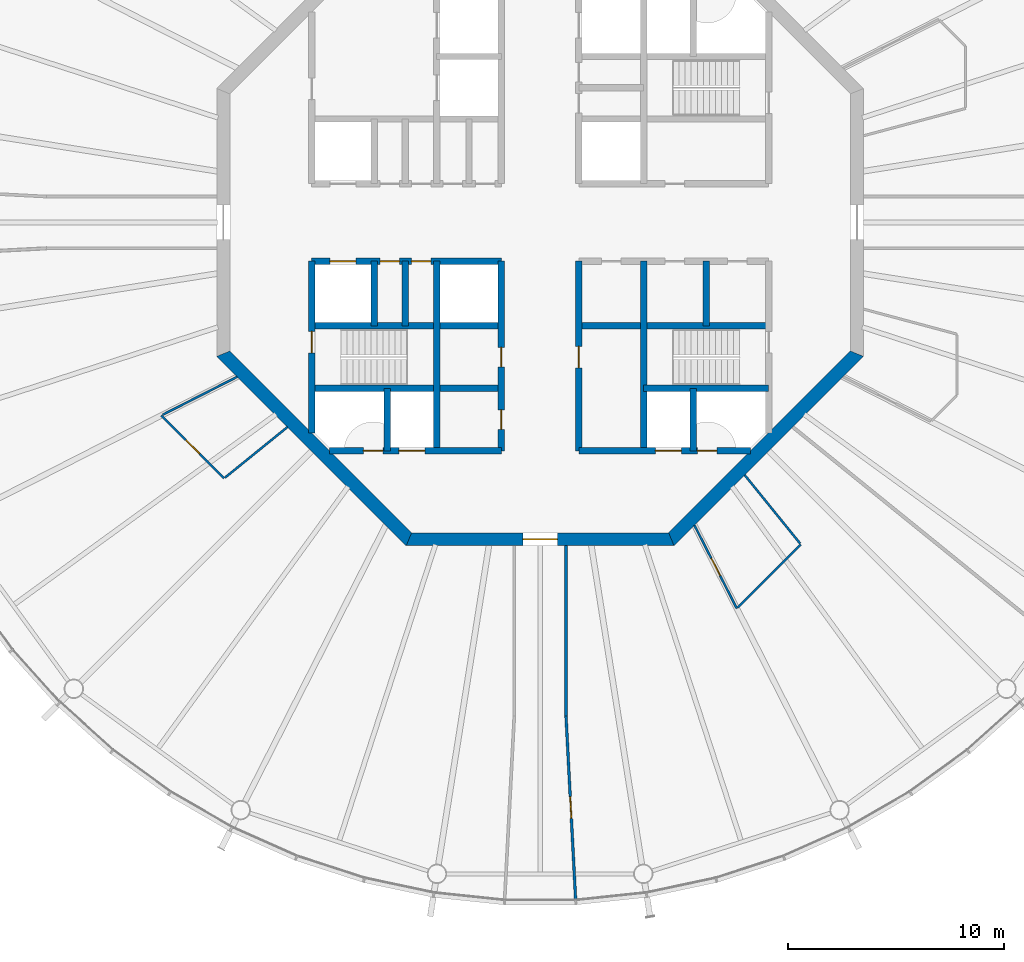
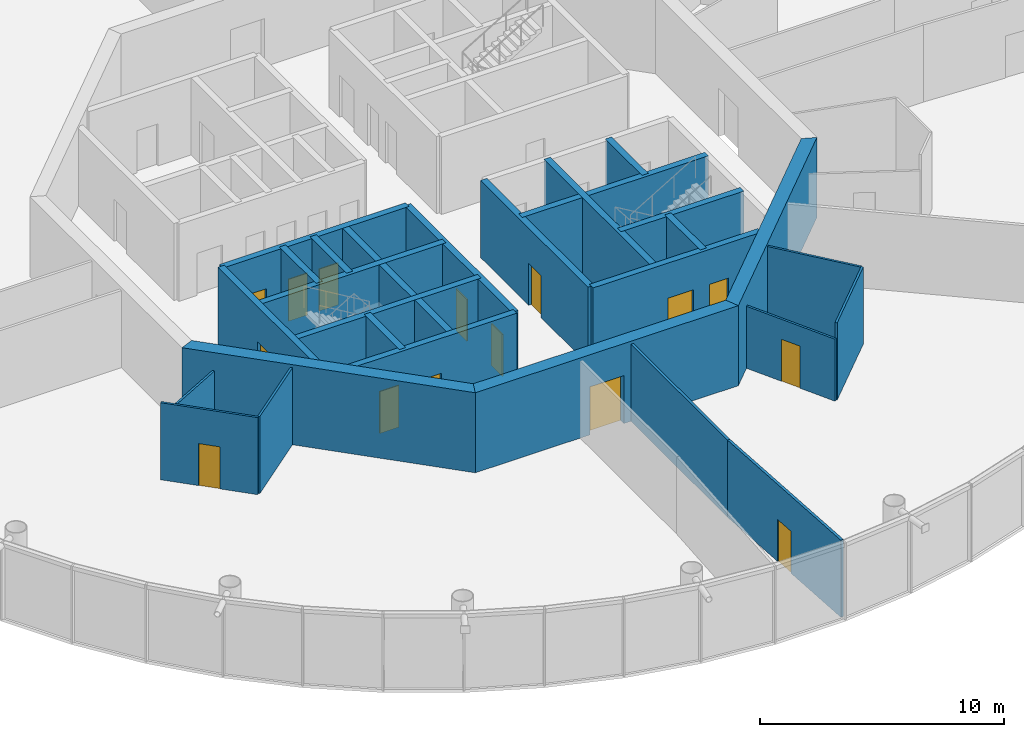
# One storey, part 3 of 18: 28 walls, 15 doors, 15 openings.
"""IFC4 building model written with IfcOpenShell, lengths in metres."""

from ifc_helpers import new_model, si_unit, direction, frame, frame_2d, origin, place, context, subcontext, project, spatial, polyline, rectangle, outline, extrude, material, layer, layer_set, type_object, element, fill, save


model = new_model("IFC4")

# Units and contexts
model_context = context("Model", 3, precision=1e-05, world=origin(), true_north=direction((0.0, 1.0)))
body_context = subcontext(model_context, "Body", "Model", "MODEL_VIEW")
ifc_project = project(units=[si_unit("LENGTHUNIT", "METRE"), si_unit("AREAUNIT", "SQUARE_METRE"), si_unit("VOLUMEUNIT", "CUBIC_METRE"), si_unit("PLANEANGLEUNIT", "RADIAN"), si_unit("MASSUNIT", "GRAM", prefix="KILO")], contexts=[model_context])

# Site, building, storey
site_placement = place(None, origin())
site = spatial("IfcSite", under=ifc_project, at=site_placement, CompositionType="ELEMENT")
building_placement = place(site_placement, origin())
building = spatial("IfcBuilding", under=site, at=building_placement, Name="Entoto Ring Tower", CompositionType="ELEMENT")
storey_placement = place(building_placement, frame((0.0, 0.0, 352.0)))
storey = spatial("IfcBuildingStorey", under=building, at=storey_placement, Name="L81", CompositionType="ELEMENT", Elevation=352.0)

# Walls
ifc_material_1 = material(Name="Concrete C40/50", Category="concrete")
ifc_layer_1 = layer(ifc_material_1, 0.300048828125)
ifc_layer_set_1 = layer_set([ifc_layer_1], Name="Concrete C40/50")
wall_type_1 = type_object("IfcWallType", Name="Core enclosure wall 300 mm reinforced concrete", PredefinedType="SOLIDWALL", material=ifc_layer_set_1)
wall_1_placement = place(storey_placement, frame((97.699951171875, 75.199951171875, 0.0), z_axis=(0.0, 0.0, 1.0), x_axis=(0.0, 1.0, 0.0)))
element("IfcWall", 1, at=wall_1_placement, inside=storey, type_object=wall_type_1, Name="wall-L81-003", PredefinedType="SOLIDWALL", context=body_context, shape_type="SweptSolid", body=[
    extrude(rectangle(XDim=3.0, YDim=0.300048828125, at=frame_2d((1.5, 0.0))), origin(), (0.0, 0.0, 1.0), 3.85009765625),
])
wall_2_placement = place(storey_placement, frame((97.10009765625, 69.39990234375, 0.0), z_axis=(0.0, 0.0, 1.0), x_axis=(0.0, 1.0, 0.0)))
element("IfcWall", 2, at=wall_2_placement, inside=storey, type_object=wall_type_1, Name="wall-L81-004", PredefinedType="SOLIDWALL", context=body_context, shape_type="SweptSolid", body=[
    extrude(rectangle(XDim=2.900146484375, YDim=0.300048828125, at=frame_2d((1.4501953125, 0.0))), origin(), (0.0, 0.0, 1.0), 3.85009765625),
])
wall_3_placement = place(storey_placement, frame((94.800048828125, 69.39990234375, 0.0), z_axis=(0.0, 0.0, 1.0), x_axis=(0.0, 1.0, 0.0)))
element("IfcWall", 3, at=wall_3_placement, inside=storey, type_object=wall_type_1, Name="wall-L81-006", PredefinedType="SOLIDWALL", context=body_context, shape_type="SweptSolid", body=[
    extrude(rectangle(XDim=8.800048828125, YDim=0.300048828125, at=frame_2d((4.39990234375, 0.0))), origin(), (0.0, 0.0, 1.0), 3.85009765625),
])

# Wall, opening, door
wall_4_placement = place(storey_placement, frame((91.800048828125, 69.39990234375, 0.0), z_axis=(0.0, 0.0, 1.0), x_axis=(0.0, 1.0, 0.0)))
wall_4 = element("IfcWall", 4, at=wall_4_placement, inside=storey, type_object=wall_type_1, Name="wall-L81-008", PredefinedType="SOLIDWALL", context=body_context, shape_type="SweptSolid", body=[
    extrude(rectangle(XDim=8.800048828125, YDim=0.300048828125, at=frame_2d((4.39990234375, 0.0))), origin(), (0.0, 0.0, 1.0), 3.85009765625),
])
opening_1_placement = place(wall_4_placement, frame((3.85009765625, 0.0, 0.0)))
opening_1 = element("IfcOpeningElement", 5, at=opening_1_placement, cuts=wall_4, Name="Opening K-64", PredefinedType="OPENING", context=body_context, shape_type="SweptSolid", body=[
    extrude(rectangle(XDim=1.0, YDim=2.10009765625, at=frame_2d((0.5, 1.050048828125))), frame((0.0, 0.16015625, 0.0), z_axis=(0.0, -1.0, 0.0), x_axis=(1.0, 0.0, 0.0)), (0.0, 0.0, 1.0), 0.320068359375),
])
ifc_material_2 = material(Name="Steel door leaf, fire rated", Category="steel")
ifc_layer_2 = layer(ifc_material_2, 0.050048828125)
ifc_layer_set_2 = layer_set([ifc_layer_2], Name="Steel door leaf, fire rated")
door_type_1 = type_object("IfcDoorType", Name="Accessible door 1000 x 2100 single leaf", OperationType="NOTDEFINED", PredefinedType="DOOR", material=ifc_layer_set_2)
door_1_placement = place(opening_1_placement, frame((1.0, 0.0, 0.0), z_axis=(0.0, 0.0, 1.0), x_axis=(-1.0, 0.0, 0.0)))
door_1 = element("IfcDoor", 6, at=door_1_placement, inside=storey, type_object=door_type_1, Name="Door K-64", OperationType="SINGLE_SWING_LEFT", OverallHeight=2.10009765625, OverallWidth=1.0, PredefinedType="DOOR", context=body_context, shape_type="SweptSolid", body=[
    extrude(rectangle(XDim=1.0, YDim=2.10009765625, at=frame_2d((0.5, 1.050048828125))), frame((0.0, 0.02490234375, 0.0), z_axis=(0.0, -1.0, 0.0), x_axis=(1.0, 0.0, 0.0)), (0.0, 0.0, 1.0), 0.050048828125),
])
fill(opening_1, door_1)

# Wall, openings, doors
wall_5_placement = place(storey_placement, frame((88.199951171875, 69.39990234375, 0.0), z_axis=(0.0, 0.0, 1.0), x_axis=(0.0, 1.0, 0.0)))
wall_5 = element("IfcWall", 7, at=wall_5_placement, inside=storey, type_object=wall_type_1, Name="wall-L81-010", PredefinedType="SOLIDWALL", context=body_context, shape_type="SweptSolid", body=[
    extrude(rectangle(XDim=8.800048828125, YDim=0.300048828125, at=frame_2d((4.39990234375, 0.0))), origin(), (0.0, 0.0, 1.0), 3.85009765625),
])
opening_2_placement = place(wall_5_placement, frame((3.89990234375, 0.0, 0.0)))
opening_2 = element("IfcOpeningElement", 8, at=opening_2_placement, cuts=wall_5, Name="Opening K-21", PredefinedType="OPENING", context=body_context, shape_type="SweptSolid", body=[
    extrude(rectangle(XDim=0.89990234375, YDim=2.10009765625, at=frame_2d((0.449951171875, 1.050048828125))), frame((0.0, 0.16015625, 0.0), z_axis=(0.0, -1.0, 0.0), x_axis=(1.0, 0.0, 0.0)), (0.0, 0.0, 1.0), 0.320068359375),
])
opening_3_placement = place(wall_5_placement, frame((1.0, 0.0, 0.0)))
opening_3 = element("IfcOpeningElement", 9, at=opening_3_placement, cuts=wall_5, Name="Opening K-69", PredefinedType="OPENING", context=body_context, shape_type="SweptSolid", body=[
    extrude(rectangle(XDim=0.89990234375, YDim=2.10009765625, at=frame_2d((0.449951171875, 1.050048828125))), frame((0.0, 0.16015625, 0.0), z_axis=(0.0, -1.0, 0.0), x_axis=(1.0, 0.0, 0.0)), (0.0, 0.0, 1.0), 0.320068359375),
])
ifc_material_3 = material(Name="Steel door leaf, fire rated", Category="steel")
ifc_layer_3 = layer(ifc_material_3, 0.050048828125)
ifc_layer_set_3 = layer_set([ifc_layer_3], Name="Steel door leaf, fire rated")
door_type_2 = type_object("IfcDoorType", Name="Core door 900 x 2100 single leaf", OperationType="NOTDEFINED", PredefinedType="DOOR", material=ifc_layer_set_3)
door_2_placement = place(opening_2_placement, origin())
door_2 = element("IfcDoor", 10, at=door_2_placement, inside=storey, type_object=door_type_2, Name="Door K-21", OperationType="SINGLE_SWING_RIGHT", OverallHeight=2.10009765625, OverallWidth=0.89990234375, PredefinedType="DOOR", context=body_context, shape_type="SweptSolid", body=[
    extrude(rectangle(XDim=0.89990234375, YDim=2.10009765625, at=frame_2d((0.449951171875, 1.050048828125))), frame((0.0, 0.02490234375, 0.0), z_axis=(0.0, -1.0, 0.0), x_axis=(1.0, 0.0, 0.0)), (0.0, 0.0, 1.0), 0.050048828125),
])
fill(opening_2, door_2)
door_3_placement = place(opening_3_placement, origin())
door_3 = element("IfcDoor", 11, at=door_3_placement, inside=storey, type_object=door_type_2, Name="Door K-69", OperationType="SINGLE_SWING_RIGHT", OverallHeight=2.10009765625, OverallWidth=0.89990234375, PredefinedType="DOOR", context=body_context, shape_type="SweptSolid", body=[
    extrude(rectangle(XDim=0.89990234375, YDim=2.10009765625, at=frame_2d((0.449951171875, 1.050048828125))), frame((0.0, 0.02490234375, 0.0), z_axis=(0.0, -1.0, 0.0), x_axis=(1.0, 0.0, 0.0)), (0.0, 0.0, 1.0), 0.050048828125),
])
fill(opening_3, door_3)

# Walls
wall_6_placement = place(storey_placement, frame((85.199951171875, 69.39990234375, 0.0), z_axis=(0.0, 0.0, 1.0), x_axis=(0.0, 1.0, 0.0)))
element("IfcWall", 12, at=wall_6_placement, inside=storey, type_object=wall_type_1, Name="wall-L81-013", PredefinedType="SOLIDWALL", context=body_context, shape_type="SweptSolid", body=[
    extrude(rectangle(XDim=8.800048828125, YDim=0.300048828125, at=frame_2d((4.39990234375, 0.0))), origin(), (0.0, 0.0, 1.0), 3.85009765625),
])
wall_7_placement = place(storey_placement, frame((83.75, 75.199951171875, 0.0), z_axis=(0.0, 0.0, 1.0), x_axis=(0.0, 1.0, 0.0)))
element("IfcWall", 13, at=wall_7_placement, inside=storey, type_object=wall_type_1, Name="wall-L81-015", PredefinedType="SOLIDWALL", context=body_context, shape_type="SweptSolid", body=[
    extrude(rectangle(XDim=3.0, YDim=0.300048828125, at=frame_2d((1.5, 0.0))), origin(), (0.0, 0.0, 1.0), 3.85009765625),
])
wall_8_placement = place(storey_placement, frame((82.89990234375, 69.39990234375, 0.0), z_axis=(0.0, 0.0, 1.0), x_axis=(0.0, 1.0, 0.0)))
element("IfcWall", 14, at=wall_8_placement, inside=storey, type_object=wall_type_1, Name="wall-L81-017", PredefinedType="SOLIDWALL", context=body_context, shape_type="SweptSolid", body=[
    extrude(rectangle(XDim=2.900146484375, YDim=0.300048828125, at=frame_2d((1.4501953125, 0.0))), origin(), (0.0, 0.0, 1.0), 3.85009765625),
])
wall_9_placement = place(storey_placement, frame((82.300048828125, 75.199951171875, 0.0), z_axis=(0.0, 0.0, 1.0), x_axis=(0.0, 1.0, 0.0)))
element("IfcWall", 15, at=wall_9_placement, inside=storey, type_object=wall_type_1, Name="wall-L81-018", PredefinedType="SOLIDWALL", context=body_context, shape_type="SweptSolid", body=[
    extrude(rectangle(XDim=3.0, YDim=0.300048828125, at=frame_2d((1.5, 0.0))), origin(), (0.0, 0.0, 1.0), 3.85009765625),
])

# Wall, opening, door
wall_10_placement = place(storey_placement, frame((79.39990234375, 70.2353515625, 0.0), z_axis=(0.0, 0.0, 1.0), x_axis=(0.0, 1.0, 0.0)))
wall_10 = element("IfcWall", 16, at=wall_10_placement, inside=storey, type_object=wall_type_1, Name="wall-L81-020", PredefinedType="SOLIDWALL", context=body_context, shape_type="SweptSolid", body=[
    extrude(rectangle(XDim=7.964599609375, YDim=0.300048828125, at=frame_2d((3.982421875, 0.0))), origin(), (0.0, 0.0, 1.0), 3.85009765625),
])
opening_4_placement = place(wall_10_placement, frame((3.714599609375, 0.0, 0.0)))
opening_4 = element("IfcOpeningElement", 17, at=opening_4_placement, cuts=wall_10, Name="Opening K-27", PredefinedType="OPENING", context=body_context, shape_type="SweptSolid", body=[
    extrude(rectangle(XDim=1.0, YDim=2.10009765625, at=frame_2d((0.5, 1.050048828125))), frame((0.0, 0.16015625, 0.0), z_axis=(0.0, -1.0, 0.0), x_axis=(1.0, 0.0, 0.0)), (0.0, 0.0, 1.0), 0.320068359375),
])
ifc_material_4 = material(Name="Steel door leaf, fire rated", Category="steel")
ifc_layer_4 = layer(ifc_material_4, 0.050048828125)
ifc_layer_set_4 = layer_set([ifc_layer_4], Name="Steel door leaf, fire rated")
door_type_3 = type_object("IfcDoorType", Name="Fire door FD60 1000 x 2100 single leaf", OperationType="NOTDEFINED", PredefinedType="DOOR", material=ifc_layer_set_4)
door_4_placement = place(opening_4_placement, frame((1.0, 0.0, 0.0), z_axis=(0.0, 0.0, 1.0), x_axis=(-1.0, 0.0, 0.0)))
door_4 = element("IfcDoor", 18, at=door_4_placement, inside=storey, type_object=door_type_3, Name="Door K-27", OperationType="SINGLE_SWING_LEFT", OverallHeight=2.10009765625, OverallWidth=1.0, PredefinedType="DOOR", context=body_context, shape_type="SweptSolid", body=[
    extrude(rectangle(XDim=1.0, YDim=2.10009765625, at=frame_2d((0.5, 1.050048828125))), frame((0.0, 0.02490234375, 0.0), z_axis=(0.0, -1.0, 0.0), x_axis=(1.0, 0.0, 0.0)), (0.0, 0.0, 1.0), 0.050048828125),
])
fill(opening_4, door_4)

# Wall, openings, doors
wall_11_placement = place(storey_placement, frame((80.2353515625, 69.39990234375, 0.0), z_axis=(0.0, 0.0, 1.0), x_axis=(1.0, 0.0, 0.0)))
wall_11 = element("IfcWall", 19, at=wall_11_placement, inside=storey, type_object=wall_type_1, Name="wall-L81-022", PredefinedType="SOLIDWALL", context=body_context, shape_type="SweptSolid", body=[
    extrude(rectangle(XDim=7.964599609375, YDim=0.300048828125, at=frame_2d((3.982421875, 0.0))), origin(), (0.0, 0.0, 1.0), 3.85009765625),
])
opening_5_placement = place(wall_11_placement, frame((3.214599609375, 0.0, 0.0)))
opening_5 = element("IfcOpeningElement", 20, at=opening_5_placement, cuts=wall_11, Name="Opening LD", PredefinedType="OPENING", context=body_context, shape_type="SweptSolid", body=[
    extrude(rectangle(XDim=1.199951171875, YDim=2.10009765625, at=frame_2d((0.60009765625, 1.050048828125))), frame((0.0, 0.16015625, 0.0), z_axis=(0.0, -1.0, 0.0), x_axis=(1.0, 0.0, 0.0)), (0.0, 0.0, 1.0), 0.320068359375),
])
opening_6_placement = place(wall_11_placement, frame((1.564697265625, 0.0, 0.0)))
opening_6 = element("IfcOpeningElement", 21, at=opening_6_placement, cuts=wall_11, Name="Opening K-84", PredefinedType="OPENING", context=body_context, shape_type="SweptSolid", body=[
    extrude(rectangle(XDim=0.89990234375, YDim=2.10009765625, at=frame_2d((0.449951171875, 1.050048828125))), frame((0.0, 0.16015625, 0.0), z_axis=(0.0, -1.0, 0.0), x_axis=(1.0, 0.0, 0.0)), (0.0, 0.0, 1.0), 0.320068359375),
])
ifc_material_5 = material(Name="Steel and glass door leaf", Category="steel")
ifc_layer_5 = layer(ifc_material_5, 0.050048828125)
ifc_layer_set_5 = layer_set([ifc_layer_5], Name="Steel and glass door leaf")
door_type_4 = type_object("IfcDoorType", Name="Landing door 1200 x 2100 sliding", OperationType="DOUBLE_DOOR_SLIDING", PredefinedType="DOOR", material=ifc_layer_set_5)
door_5_placement = place(opening_5_placement, origin())
door_5 = element("IfcDoor", 22, at=door_5_placement, inside=storey, type_object=door_type_4, Name="Landing door LB3-HR", OperationType="SLIDING_TO_RIGHT", OverallHeight=2.10009765625, OverallWidth=1.199951171875, PredefinedType="DOOR", context=body_context, shape_type="SweptSolid", body=[
    extrude(rectangle(XDim=1.199951171875, YDim=2.10009765625, at=frame_2d((0.60009765625, 1.050048828125))), frame((0.0, 0.02490234375, 0.0), z_axis=(0.0, -1.0, 0.0), x_axis=(1.0, 0.0, 0.0)), (0.0, 0.0, 1.0), 0.050048828125),
])
fill(opening_5, door_5)
ifc_material_6 = material(Name="Steel door leaf, fire rated", Category="steel")
ifc_layer_6 = layer(ifc_material_6, 0.050048828125)
ifc_layer_set_6 = layer_set([ifc_layer_6], Name="Steel door leaf, fire rated")
door_type_5 = type_object("IfcDoorType", Name="Riser door FD60 900 x 2100 single leaf", OperationType="NOTDEFINED", PredefinedType="DOOR", material=ifc_layer_set_6)
door_6_placement = place(opening_6_placement, origin())
door_6 = element("IfcDoor", 23, at=door_6_placement, inside=storey, type_object=door_type_5, Name="Door K-84", OperationType="SINGLE_SWING_RIGHT", OverallHeight=2.10009765625, OverallWidth=0.89990234375, PredefinedType="DOOR", context=body_context, shape_type="SweptSolid", body=[
    extrude(rectangle(XDim=0.89990234375, YDim=2.10009765625, at=frame_2d((0.449951171875, 1.050048828125))), frame((0.0, 0.02490234375, 0.0), z_axis=(0.0, -1.0, 0.0), x_axis=(1.0, 0.0, 0.0)), (0.0, 0.0, 1.0), 0.050048828125),
])
fill(opening_6, door_6)

wall_12_placement = place(storey_placement, frame((91.800048828125, 69.39990234375, 0.0), z_axis=(0.0, 0.0, 1.0), x_axis=(1.0, 0.0, 0.0)))
wall_12 = element("IfcWall", 24, at=wall_12_placement, inside=storey, type_object=wall_type_1, Name="wall-L81-023", PredefinedType="SOLIDWALL", context=body_context, shape_type="SweptSolid", body=[
    extrude(rectangle(XDim=7.964599609375, YDim=0.300048828125, at=frame_2d((3.982421875, 0.0))), origin(), (0.0, 0.0, 1.0), 3.85009765625),
])
opening_7_placement = place(wall_12_placement, frame((3.550048828125, 0.0, 0.0)))
opening_7 = element("IfcOpeningElement", 25, at=opening_7_placement, cuts=wall_12, Name="Opening LD", PredefinedType="OPENING", context=body_context, shape_type="SweptSolid", body=[
    extrude(rectangle(XDim=1.199951171875, YDim=2.10009765625, at=frame_2d((0.60009765625, 1.050048828125))), frame((0.0, 0.16015625, 0.0), z_axis=(0.0, -1.0, 0.0), x_axis=(1.0, 0.0, 0.0)), (0.0, 0.0, 1.0), 0.320068359375),
])
opening_8_placement = place(wall_12_placement, frame((5.5, 0.0, 0.0)))
opening_8 = element("IfcOpeningElement", 26, at=opening_8_placement, cuts=wall_12, Name="Opening K-85", PredefinedType="OPENING", context=body_context, shape_type="SweptSolid", body=[
    extrude(rectangle(XDim=0.89990234375, YDim=2.10009765625, at=frame_2d((0.449951171875, 1.050048828125))), frame((0.0, 0.16015625, 0.0), z_axis=(0.0, -1.0, 0.0), x_axis=(1.0, 0.0, 0.0)), (0.0, 0.0, 1.0), 0.320068359375),
])
door_7_placement = place(opening_7_placement, origin())
door_7 = element("IfcDoor", 27, at=door_7_placement, inside=storey, type_object=door_type_4, Name="Landing door LB2-HR", OperationType="SLIDING_TO_RIGHT", OverallHeight=2.10009765625, OverallWidth=1.199951171875, PredefinedType="DOOR", context=body_context, shape_type="SweptSolid", body=[
    extrude(rectangle(XDim=1.199951171875, YDim=2.10009765625, at=frame_2d((0.60009765625, 1.050048828125))), frame((0.0, 0.02490234375, 0.0), z_axis=(0.0, -1.0, 0.0), x_axis=(1.0, 0.0, 0.0)), (0.0, 0.0, 1.0), 0.050048828125),
])
fill(opening_7, door_7)
door_8_placement = place(opening_8_placement, origin())
door_8 = element("IfcDoor", 28, at=door_8_placement, inside=storey, type_object=door_type_5, Name="Door K-85", OperationType="SINGLE_SWING_LEFT", OverallHeight=2.10009765625, OverallWidth=0.89990234375, PredefinedType="DOOR", context=body_context, shape_type="SweptSolid", body=[
    extrude(rectangle(XDim=0.89990234375, YDim=2.10009765625, at=frame_2d((0.449951171875, 1.050048828125))), frame((0.0, 0.02490234375, 0.0), z_axis=(0.0, -1.0, 0.0), x_axis=(1.0, 0.0, 0.0)), (0.0, 0.0, 1.0), 0.050048828125),
])
fill(opening_8, door_8)

# Walls
wall_13_placement = place(storey_placement, frame((79.39990234375, 72.300048828125, 0.0), z_axis=(0.0, 0.0, 1.0), x_axis=(1.0, 0.0, 0.0)))
element("IfcWall", 29, at=wall_13_placement, inside=storey, type_object=wall_type_1, Name="wall-L81-024", PredefinedType="SOLIDWALL", context=body_context, shape_type="SweptSolid", body=[
    extrude(rectangle(XDim=8.800048828125, YDim=0.300048828125, at=frame_2d((4.39990234375, 0.0))), origin(), (0.0, 0.0, 1.0), 3.85009765625),
])
wall_14_placement = place(storey_placement, frame((94.800048828125, 72.300048828125, 0.0), z_axis=(0.0, 0.0, 1.0), x_axis=(1.0, 0.0, 0.0)))
element("IfcWall", 30, at=wall_14_placement, inside=storey, type_object=wall_type_1, Name="wall-L81-025", PredefinedType="SOLIDWALL", context=body_context, shape_type="SweptSolid", body=[
    extrude(rectangle(XDim=5.800048828125, YDim=0.300048828125, at=frame_2d((2.89990234375, 0.0))), origin(), (0.0, 0.0, 1.0), 3.85009765625),
])
for number, where, z_axis, x_axis, name in (
    (31, (79.39990234375, 75.199951171875, 0.0), (0.0, 0.0, 1.0), (1.0, 0.0, 0.0), "wall-L81-026"),
    (32, (91.800048828125, 75.199951171875, 0.0), (0.0, 0.0, 1.0), (1.0, 0.0, 0.0), "wall-L81-027"),
):
    element("IfcWall", number, at=place(storey_placement, frame(where, z_axis=z_axis, x_axis=x_axis)), inside=storey, type_object=wall_type_1, Name=name, PredefinedType="SOLIDWALL", context=body_context, shape_type="SweptSolid", body=[
        extrude(rectangle(XDim=8.800048828125, YDim=0.300048828125, at=frame_2d((4.39990234375, 0.0))), origin(), (0.0, 0.0, 1.0), 3.85009765625),
    ])

# Wall, openings, doors
wall_15_placement = place(storey_placement, frame((79.39990234375, 78.199951171875, 0.0), z_axis=(0.0, 0.0, 1.0), x_axis=(1.0, 0.0, 0.0)))
wall_15 = element("IfcWall", 33, at=wall_15_placement, inside=storey, type_object=wall_type_1, Name="wall-L81-028", PredefinedType="SOLIDWALL", context=body_context, shape_type="SweptSolid", body=[
    extrude(rectangle(XDim=8.800048828125, YDim=0.300048828125, at=frame_2d((4.39990234375, 0.0))), origin(), (0.0, 0.0, 1.0), 3.85009765625),
])
opening_9_placement = place(wall_15_placement, frame((0.85009765625, 0.0, 0.0)))
opening_9 = element("IfcOpeningElement", 34, at=opening_9_placement, cuts=wall_15, Name="Opening LD", PredefinedType="OPENING", context=body_context, shape_type="SweptSolid", body=[
    extrude(rectangle(XDim=1.199951171875, YDim=2.10009765625, at=frame_2d((0.60009765625, 1.050048828125))), frame((0.0, 0.16015625, 0.0), z_axis=(0.0, -1.0, 0.0), x_axis=(1.0, 0.0, 0.0)), (0.0, 0.0, 1.0), 0.320068359375),
])
opening_10_placement = place(wall_15_placement, frame((3.175048828125, 0.0, 0.0)))
opening_10 = element("IfcOpeningElement", 35, at=opening_10_placement, cuts=wall_15, Name="Opening K-16", PredefinedType="OPENING", context=body_context, shape_type="SweptSolid", body=[
    extrude(rectangle(XDim=0.89990234375, YDim=2.10009765625, at=frame_2d((0.449951171875, 1.050048828125))), frame((0.0, 0.16015625, 0.0), z_axis=(0.0, -1.0, 0.0), x_axis=(1.0, 0.0, 0.0)), (0.0, 0.0, 1.0), 0.320068359375),
])
opening_11_placement = place(wall_15_placement, frame((4.625, 0.0, 0.0)))
opening_11 = element("IfcOpeningElement", 36, at=opening_11_placement, cuts=wall_15, Name="Opening K-57", PredefinedType="OPENING", context=body_context, shape_type="SweptSolid", body=[
    extrude(rectangle(XDim=0.89990234375, YDim=2.10009765625, at=frame_2d((0.449951171875, 1.050048828125))), frame((0.0, 0.16015625, 0.0), z_axis=(0.0, -1.0, 0.0), x_axis=(1.0, 0.0, 0.0)), (0.0, 0.0, 1.0), 0.320068359375),
])
door_9_placement = place(opening_10_placement, frame((0.89990234375, 0.0, 0.0), z_axis=(0.0, 0.0, 1.0), x_axis=(-1.0, 0.0, 0.0)))
door_9 = element("IfcDoor", 37, at=door_9_placement, inside=storey, type_object=door_type_2, Name="Door K-16", OperationType="SINGLE_SWING_LEFT", OverallHeight=2.10009765625, OverallWidth=0.89990234375, PredefinedType="DOOR", context=body_context, shape_type="SweptSolid", body=[
    extrude(rectangle(XDim=0.89990234375, YDim=2.10009765625, at=frame_2d((0.449951171875, 1.050048828125))), frame((0.0, 0.02490234375, 0.0), z_axis=(0.0, -1.0, 0.0), x_axis=(1.0, 0.0, 0.0)), (0.0, 0.0, 1.0), 0.050048828125),
])
fill(opening_10, door_9)
door_10_placement = place(opening_11_placement, frame((0.89990234375, 0.0, 0.0), z_axis=(0.0, 0.0, 1.0), x_axis=(-1.0, 0.0, 0.0)))
door_10 = element("IfcDoor", 38, at=door_10_placement, inside=storey, type_object=door_type_2, Name="Door K-57", OperationType="SINGLE_SWING_LEFT", OverallHeight=2.10009765625, OverallWidth=0.89990234375, PredefinedType="DOOR", context=body_context, shape_type="SweptSolid", body=[
    extrude(rectangle(XDim=0.89990234375, YDim=2.10009765625, at=frame_2d((0.449951171875, 1.050048828125))), frame((0.0, 0.02490234375, 0.0), z_axis=(0.0, -1.0, 0.0), x_axis=(1.0, 0.0, 0.0)), (0.0, 0.0, 1.0), 0.050048828125),
])
fill(opening_11, door_10)
door_11_placement = place(opening_9_placement, origin())
door_11 = element("IfcDoor", 39, at=door_11_placement, inside=storey, type_object=door_type_4, Name="Landing door SH2", OperationType="SLIDING_TO_RIGHT", OverallHeight=2.10009765625, OverallWidth=1.199951171875, PredefinedType="DOOR", context=body_context, shape_type="SweptSolid", body=[
    extrude(rectangle(XDim=1.199951171875, YDim=2.10009765625, at=frame_2d((0.60009765625, 1.050048828125))), frame((0.0, 0.02490234375, 0.0), z_axis=(0.0, -1.0, 0.0), x_axis=(1.0, 0.0, 0.0)), (0.0, 0.0, 1.0), 0.050048828125),
])
fill(opening_9, door_11)

# Wall
ifc_material_7 = material(Name="Concrete C40/50", Category="concrete")
ifc_layer_7 = layer(ifc_material_7, 0.60009765625)
ifc_layer_set_7 = layer_set([ifc_layer_7], Name="Concrete C40/50")
wall_type_2 = type_object("IfcWallType", Name="Core shear wall 600 mm reinforced concrete C40/50", PredefinedType="SHEAR", material=ifc_layer_set_7)
wall_16_placement = place(storey_placement, frame((75.300048828125, 73.9111328125, 0.0), z_axis=(0.0, 0.0, 1.0), x_axis=(0.707106781187, -0.707106781187, 0.0)))
element("IfcWall", 40, at=wall_16_placement, inside=storey, type_object=wall_type_2, Name="wall-L81-core-5", PredefinedType="SHEAR", context=body_context, shape_type="SweptSolid", body=[
    extrude(outline(polyline([(-0.124267578125, -0.300048828125), (12.30224609375, -0.300048828125), (12.0537109375, 0.300048828125), (0.124267578125, 0.300048828125), (-0.124267578125, -0.300048828125)])), origin(), (0.0, 0.0, 1.0), 4.0),
])

# Wall, opening, door
wall_17_placement = place(storey_placement, frame((83.9111328125, 65.300048828125, 0.0), z_axis=(0.0, 0.0, 1.0), x_axis=(1.0, 0.0, 0.0)))
wall_17 = element("IfcWall", 41, at=wall_17_placement, inside=storey, type_object=wall_type_2, Name="wall-L81-core-6", PredefinedType="SHEAR", context=body_context, shape_type="SweptSolid", body=[
    extrude(outline(polyline([(-0.124267578125, -0.300048828125), (12.302001953125, -0.300048828125), (12.053466796875, 0.300048828125), (0.124267578125, 0.300048828125), (-0.124267578125, -0.300048828125)])), origin(), (0.0, 0.0, 1.0), 4.0),
])
opening_12_placement = place(wall_17_placement, frame((5.288818359375, 0.0, 0.0)))
opening_12 = element("IfcOpeningElement", 42, at=opening_12_placement, cuts=wall_17, Name="Opening K-04", PredefinedType="OPENING", context=body_context, shape_type="SweptSolid", body=[
    extrude(rectangle(XDim=1.60009765625, YDim=2.39990234375, at=frame_2d((0.800048828125, 1.199951171875))), frame((0.0, 0.31005859375, 0.0), z_axis=(0.0, -1.0, 0.0), x_axis=(1.0, 0.0, 0.0)), (0.0, 0.0, 1.0), 0.6201171875),
])
ifc_material_8 = material(Name="Steel door leaf, fire rated", Category="steel")
ifc_layer_8 = layer(ifc_material_8, 0.050048828125)
ifc_layer_set_8 = layer_set([ifc_layer_8], Name="Steel door leaf, fire rated")
door_type_6 = type_object("IfcDoorType", Name="Entrance door FD60 1600 x 2400 double leaf", OperationType="DOUBLE_DOOR_SINGLE_SWING", PredefinedType="DOOR", material=ifc_layer_set_8)
door_12_placement = place(opening_12_placement, origin())
door_12 = element("IfcDoor", 43, at=door_12_placement, inside=storey, type_object=door_type_6, Name="Entrance door K-04", OperationType="DOUBLE_DOOR_SINGLE_SWING", OverallHeight=2.39990234375, OverallWidth=1.60009765625, PredefinedType="DOOR", context=body_context, shape_type="SweptSolid", body=[
    extrude(rectangle(XDim=1.60009765625, YDim=2.39990234375, at=frame_2d((0.800048828125, 1.199951171875))), frame((0.0, 0.02490234375, 0.0), z_axis=(0.0, -1.0, 0.0), x_axis=(1.0, 0.0, 0.0)), (0.0, 0.0, 1.0), 0.050048828125),
])
fill(opening_12, door_12)

# Wall
wall_18_placement = place(storey_placement, frame((96.0888671875, 65.300048828125, 0.0), z_axis=(0.0, 0.0, 1.0), x_axis=(0.707106781187, 0.707106781187, 0.0)))
element("IfcWall", 44, at=wall_18_placement, inside=storey, type_object=wall_type_2, Name="wall-L81-core-7", PredefinedType="SHEAR", context=body_context, shape_type="SweptSolid", body=[
    extrude(outline(polyline([(-0.124267578125, -0.300048828125), (12.30224609375, -0.300048828125), (12.0537109375, 0.300048828125), (0.124267578125, 0.300048828125), (-0.124267578125, -0.300048828125)])), origin(), (0.0, 0.0, 1.0), 4.0),
])

# Wall, opening, door
ifc_material_9 = material(Name="Fire-resisting plasterboard on steel studs", Category="steel")
ifc_layer_9 = layer(ifc_material_9, 0.125)
ifc_layer_set_9 = layer_set([ifc_layer_9], Name="Fire-resisting plasterboard on steel studs")
wall_type_3 = type_object("IfcWallType", Name="Corridor wall 125 mm one-hour plasterboard on steel studs", PredefinedType="PARTITIONING", material=ifc_layer_set_9)
wall_19_placement = place(storey_placement, frame((91.6455078125, 48.60302734375, 0.0), z_axis=(0.0, 0.0, 1.0), x_axis=(-0.05234956051, 0.998628821692, 0.0)))
wall_19 = element("IfcWall", 45, at=wall_19_placement, inside=storey, type_object=wall_type_3, Name="partition-L81-006", PredefinedType="PARTITIONING", context=body_context, shape_type="SweptSolid", body=[
    extrude(rectangle(XDim=8.51123046875, YDim=0.125, at=frame_2d((4.255615234375, 0.0))), origin(), (0.0, 0.0, 1.0), 3.85009765625),
])
opening_13_placement = place(wall_19_placement, frame((3.755615234375, 0.0, 0.0)))
opening_13 = element("IfcOpeningElement", 46, at=opening_13_placement, cuts=wall_19, Name="Opening A35-D08", PredefinedType="OPENING", context=body_context, shape_type="SweptSolid", body=[
    extrude(rectangle(XDim=1.0, YDim=2.10009765625, at=frame_2d((0.5, 1.050048828125))), frame((0.0, 0.072509765625, 0.0), z_axis=(0.0, -1.0, 0.0), x_axis=(1.0, 0.0, 0.0)), (0.0, 0.0, 1.0), 0.14501953125),
])
ifc_material_10 = material(Name="Fire-resisting timber door set", Category="wood")
door_type_7 = type_object("IfcDoorType", Name="Door 1000 x 2100 single leaf FD30S fire door", OperationType="NOTDEFINED", PredefinedType="DOOR", material=ifc_material_10)
door_13_placement = place(opening_13_placement, frame((1.0, 0.0, 0.0), z_axis=(0.0, 0.0, 1.0), x_axis=(-1.0, 0.0, 0.0)))
door_13 = element("IfcDoor", 47, at=door_13_placement, inside=storey, type_object=door_type_7, Name="Door A35-D08", OperationType="SINGLE_SWING_RIGHT", OverallHeight=2.10009765625, OverallWidth=1.0, PredefinedType="DOOR", context=body_context, shape_type="SweptSolid", body=[
    extrude(rectangle(XDim=1.0, YDim=2.10009765625, at=frame_2d((0.5, 1.050048828125))), frame((0.0, 0.02490234375, 0.0), z_axis=(0.0, -1.0, 0.0), x_axis=(1.0, 0.0, 0.0)), (0.0, 0.0, 1.0), 0.050048828125),
])
fill(opening_13, door_13)

# Walls
wall_20_placement = place(storey_placement, frame((91.199951171875, 57.10595703125, 0.0), z_axis=(0.0, 0.0, 1.0), x_axis=(0.0, 1.0, 0.0)))
element("IfcWall", 48, at=wall_20_placement, inside=storey, type_object=wall_type_3, Name="partition-L81-013", PredefinedType="PARTITIONING", context=body_context, shape_type="SweptSolid", body=[
    extrude(rectangle(XDim=7.89404296875, YDim=0.125, at=frame_2d((3.947021484375, 0.0))), origin(), (0.0, 0.0, 1.0), 3.85009765625),
])
ifc_material_11 = material(Name="Plasterboard on steel studs", Category="steel")
ifc_layer_10 = layer(ifc_material_11, 0.10009765625)
ifc_layer_set_10 = layer_set([ifc_layer_10], Name="Plasterboard on steel studs")
wall_type_4 = type_object("IfcWallType", Name="Partition 100 mm plasterboard on steel studs", PredefinedType="PARTITIONING", material=ifc_layer_set_10)
wall_21_placement = place(storey_placement, frame((99.175537109375, 62.1357421875, 0.0), z_axis=(0.0, 0.0, 1.0), x_axis=(0.707106781187, 0.707106781187, 0.0)))
element("IfcWall", 49, at=wall_21_placement, inside=storey, type_object=wall_type_4, Name="partition-L81-027", PredefinedType="PARTITIONING", context=body_context, shape_type="SweptSolid", body=[
    extrude(rectangle(XDim=4.13427734375, YDim=0.10009765625, at=frame_2d((2.067138671875, 0.0))), origin(), (0.0, 0.0, 1.0), 3.85009765625),
])
wall_22_placement = place(storey_placement, frame((102.067626953125, 65.09765625, 0.0), z_axis=(0.0, 0.0, 1.0), x_axis=(-0.629332056671, 0.777136514678, 0.0)))
element("IfcWall", 50, at=wall_22_placement, inside=storey, type_object=wall_type_4, Name="partition-L81-028", PredefinedType="PARTITIONING", context=body_context, shape_type="SweptSolid", body=[
    extrude(rectangle(XDim=4.093017578125, YDim=0.10009765625, at=frame_2d((2.04638671875, 0.0))), origin(), (0.0, 0.0, 1.0), 3.85009765625),
])

# Wall, opening, door
wall_23_placement = place(storey_placement, frame((75.34033203125, 68.12890625, 0.0), z_axis=(0.0, 0.0, 1.0), x_axis=(-0.707077178408, 0.707136382726, 0.0)))
wall_23 = element("IfcWall", 51, at=wall_23_placement, inside=storey, type_object=wall_type_4, Name="partition-L81-029", PredefinedType="PARTITIONING", context=body_context, shape_type="SweptSolid", body=[
    extrude(rectangle(XDim=4.123779296875, YDim=0.10009765625, at=frame_2d((2.06201171875, 0.0))), origin(), (0.0, 0.0, 1.0), 3.85009765625),
])
opening_14_placement = place(wall_23_placement, frame((1.61181640625, 0.0, 0.0)))
opening_14 = element("IfcOpeningElement", 52, at=opening_14_placement, cuts=wall_23, Name="Opening A35-D07", PredefinedType="OPENING", context=body_context, shape_type="SweptSolid", body=[
    extrude(rectangle(XDim=0.89990234375, YDim=2.10009765625, at=frame_2d((0.449951171875, 1.050048828125))), frame((0.0, 0.06005859375, 0.0), z_axis=(0.0, -1.0, 0.0), x_axis=(1.0, 0.0, 0.0)), (0.0, 0.0, 1.0), 0.1201171875),
])
ifc_material_12 = material(Name="Veneered timber door leaf in timber frame", Category="wood")
door_type_8 = type_object("IfcDoorType", Name="Door 900 x 2100 single leaf timber veneer", OperationType="NOTDEFINED", PredefinedType="DOOR", material=ifc_material_12)
door_14_placement = place(opening_14_placement, frame((0.89990234375, 0.0, 0.0), z_axis=(0.0, 0.0, 1.0), x_axis=(-1.0, 0.0, 0.0)))
door_14 = element("IfcDoor", 53, at=door_14_placement, inside=storey, type_object=door_type_8, Name="Door A35-D07", OperationType="SINGLE_SWING_LEFT", OverallHeight=2.10009765625, OverallWidth=0.89990234375, PredefinedType="DOOR", context=body_context, shape_type="SweptSolid", body=[
    extrude(rectangle(XDim=0.89990234375, YDim=2.10009765625, at=frame_2d((0.449951171875, 1.050048828125))), frame((0.0, 0.02490234375, 0.0), z_axis=(0.0, -1.0, 0.0), x_axis=(1.0, 0.0, 0.0)), (0.0, 0.0, 1.0), 0.050048828125),
])
fill(opening_14, door_14)

# Wall
wall_24_placement = place(storey_placement, frame((75.37890625, 68.16015625, 0.0), z_axis=(0.0, 0.0, 1.0), x_axis=(0.77713971997, 0.629328098566, 0.0)))
element("IfcWall", 54, at=wall_24_placement, inside=storey, type_object=wall_type_4, Name="partition-L81-031", PredefinedType="PARTITIONING", context=body_context, shape_type="SweptSolid", body=[
    extrude(rectangle(XDim=3.731201171875, YDim=0.10009765625, at=frame_2d((1.86572265625, 0.0))), origin(), (0.0, 0.0, 1.0), 3.85009765625),
])

# Wall, opening, door
ifc_material_13 = material(Name="Plasterboard on steel studs", Category="steel")
ifc_layer_11 = layer(ifc_material_13, 0.10009765625)
ifc_layer_set_11 = layer_set([ifc_layer_11], Name="Plasterboard on steel studs")
wall_type_5 = type_object("IfcWallType", Name="Partition 100 mm plasterboard on steel studs, 3097 mm high", PredefinedType="PARTITIONING", material=ifc_layer_set_11)
wall_25_placement = place(storey_placement, frame((99.126953125, 62.087158203125, 0.0), z_axis=(0.0, 0.0, 1.0), x_axis=(-0.453963772486, 0.891020141899, 0.0)))
wall_25 = element("IfcWall", 55, at=wall_25_placement, inside=storey, type_object=wall_type_5, Name="partition-L81-026", PredefinedType="PARTITIONING", context=body_context, shape_type="SweptSolid", body=[
    extrude(rectangle(XDim=4.33203125, YDim=0.10009765625, at=frame_2d((2.166015625, 0.0))), origin(), (0.0, 0.0, 1.0), 3.096923828125),
])
opening_15_placement = place(wall_25_placement, frame((1.716064453125, 0.0, 0.0)))
opening_15 = element("IfcOpeningElement", 56, at=opening_15_placement, cuts=wall_25, Name="Opening A35-D09", PredefinedType="OPENING", context=body_context, shape_type="SweptSolid", body=[
    extrude(rectangle(XDim=0.89990234375, YDim=2.10009765625, at=frame_2d((0.449951171875, 1.050048828125))), frame((0.0, 0.06005859375, 0.0), z_axis=(0.0, -1.0, 0.0), x_axis=(1.0, 0.0, 0.0)), (0.0, 0.0, 1.0), 0.1201171875),
])
door_15_placement = place(opening_15_placement, frame((0.89990234375, 0.0, 0.0), z_axis=(0.0, 0.0, 1.0), x_axis=(-1.0, 0.0, 0.0)))
door_15 = element("IfcDoor", 57, at=door_15_placement, inside=storey, type_object=door_type_8, Name="Door A35-D09", OperationType="SINGLE_SWING_RIGHT", OverallHeight=2.10009765625, OverallWidth=0.89990234375, PredefinedType="DOOR", context=body_context, shape_type="SweptSolid", body=[
    extrude(rectangle(XDim=0.89990234375, YDim=2.10009765625, at=frame_2d((0.449951171875, 1.050048828125))), frame((0.0, 0.02490234375, 0.0), z_axis=(0.0, -1.0, 0.0), x_axis=(1.0, 0.0, 0.0)), (0.0, 0.0, 1.0), 0.050048828125),
])
fill(opening_15, door_15)

# Wall
wall_26_placement = place(storey_placement, frame((72.485595703125, 71.075927734375, 0.0), z_axis=(0.0, 0.0, 1.0), x_axis=(0.89100784158, 0.453987914203, 0.0)))
element("IfcWall", 58, at=wall_26_placement, inside=storey, type_object=wall_type_5, Name="partition-L81-030", PredefinedType="PARTITIONING", context=body_context, shape_type="SweptSolid", body=[
    extrude(rectangle(XDim=3.884765625, YDim=0.10009765625, at=frame_2d((1.9423828125, 0.0))), origin(), (0.0, 0.0, 1.0), 3.096923828125),
])

save(model, "model.ifc")
